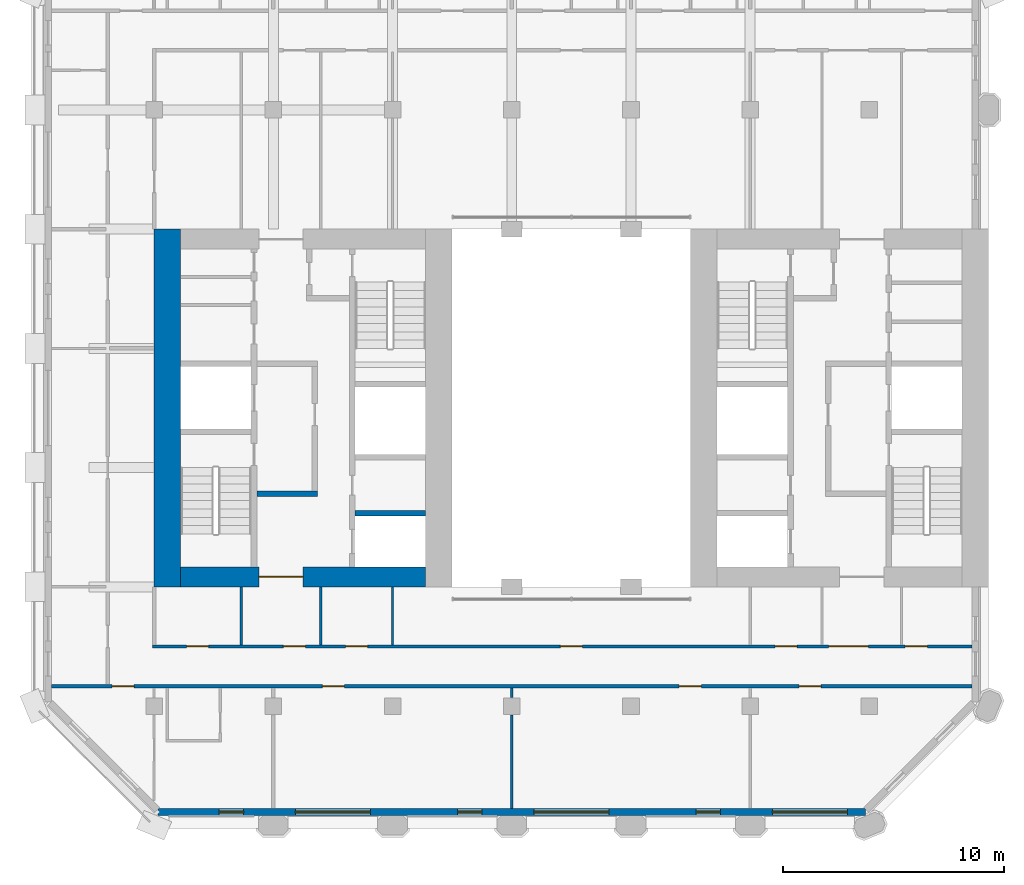
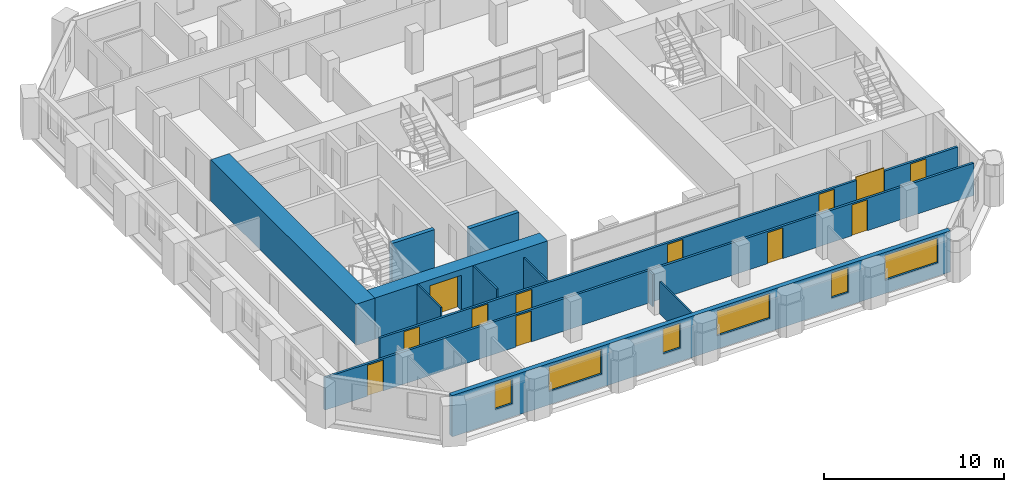
# One storey, part 6 of 14: 12 doors, 12 walls, 6 windows, 18 openings.
"""IFC4 building model written with IfcOpenShell, lengths in metres."""

from ifc_helpers import new_model, si_unit, direction, frame, frame_2d, origin, place, context, subcontext, project, spatial, rectangle, extrude, material, layer, layer_set, type_object, element, fill, save


model = new_model("IFC4")

# Units and contexts
model_context = context("Model", 3, precision=1e-05, world=origin(), true_north=direction((0.0, 1.0)))
body_context = subcontext(model_context, "Body", "Model", "MODEL_VIEW")
ifc_project = project(units=[si_unit("LENGTHUNIT", "METRE"), si_unit("AREAUNIT", "SQUARE_METRE"), si_unit("VOLUMEUNIT", "CUBIC_METRE"), si_unit("PLANEANGLEUNIT", "RADIAN"), si_unit("MASSUNIT", "GRAM", prefix="KILO")], contexts=[model_context])

# Site, building, storey
site_placement = place(None, origin())
site = spatial("IfcSite", under=ifc_project, at=site_placement, CompositionType="ELEMENT")
building_placement = place(site_placement, origin())
building = spatial("IfcBuilding", under=site, at=building_placement, Name="Tabaq Tower and Sports Hall", CompositionType="ELEMENT")
storey_placement = place(building_placement, frame((0.0, 0.0, 230.199951171875)))
storey = spatial("IfcBuildingStorey", under=building, at=storey_placement, Name="L58", CompositionType="ELEMENT", Elevation=230.199951171875)

# Wall
ifc_material_1 = material(Name="Concrete C50/60", Category="concrete")
ifc_layer_1 = layer(ifc_material_1, 1.199951171875)
ifc_layer_set_1 = layer_set([ifc_layer_1], Name="Core wall 1200 Concrete C50/60")
wall_type_1 = type_object("IfcWallType", Name="Core wall 1200 Concrete C50/60", PredefinedType="SOLIDWALL", material=ifc_layer_set_1)
wall_1_placement = place(storey_placement, frame((6.0, 16.199951171875, 0.0), z_axis=(0.0, 0.0, 1.0), x_axis=(0.0, 1.0, 0.0)))
element("IfcWall", 1, at=wall_1_placement, inside=storey, type_object=wall_type_1, Name="Core wall W L58", PredefinedType="SOLIDWALL", context=body_context, shape_type="SweptSolid", body=[
    extrude(rectangle(XDim=16.199951171875, YDim=1.199951171875, at=frame_2d((8.10009765625, 0.0))), origin(), (0.0, 0.0, 1.0), 2.800048828125),
])

# Wall, opening, door
ifc_material_2 = material(Name="Concrete C50/60", Category="concrete")
ifc_layer_2 = layer(ifc_material_2, 0.89990234375)
ifc_layer_set_2 = layer_set([ifc_layer_2], Name="Core wall 900 Concrete C50/60")
wall_type_2 = type_object("IfcWallType", Name="Core wall 900 Concrete C50/60", PredefinedType="SOLIDWALL", material=ifc_layer_set_2)
wall_2_placement = place(storey_placement, frame((17.699951171875, 16.64990234375, 0.0), z_axis=(0.0, 0.0, 1.0), x_axis=(-1.0, 0.0, 0.0)))
wall_2 = element("IfcWall", 2, at=wall_2_placement, inside=storey, type_object=wall_type_2, Name="Core wall W L58", PredefinedType="SOLIDWALL", context=body_context, shape_type="SweptSolid", body=[
    extrude(rectangle(XDim=11.099853515625, YDim=0.89990234375, at=frame_2d((5.5498046875, 0.0))), origin(), (0.0, 0.0, 1.0), 2.800048828125),
])
opening_1_placement = place(wall_2_placement, frame((5.550048828125, 0.0, 0.0)))
opening_1 = element("IfcOpeningElement", 3, at=opening_1_placement, cuts=wall_2, Name="Opening PD-WL58-01", PredefinedType="OPENING", context=body_context, shape_type="SweptSolid", body=[
    extrude(rectangle(XDim=2.0, YDim=2.39990234375, at=frame_2d((1.0, 1.199951171875))), frame((0.0, 0.449951171875, 0.0), z_axis=(0.0, -1.0, 0.0), x_axis=(1.0, 0.0, 0.0)), (0.0, 0.0, 1.0), 0.89990234375),
])
ifc_material_3 = material(Name="Steel fire door", Category="steel")
door_type_1 = type_object("IfcDoorType", Name="Core entrance door 2000", OperationType="DOUBLE_DOOR_SINGLE_SWING", PredefinedType="DOOR", material=ifc_material_3)
door_1_placement = place(opening_1_placement, origin())
door_1 = element("IfcDoor", 4, at=door_1_placement, inside=storey, type_object=door_type_1, Name="Core entrance south W L58", OperationType="DOUBLE_DOOR_SINGLE_SWING", OverallHeight=2.39990234375, OverallWidth=2.0, PredefinedType="DOOR", context=body_context, shape_type="SweptSolid", body=[
    extrude(rectangle(XDim=2.0, YDim=2.39990234375, at=frame_2d((1.0, 1.199951171875))), frame((0.0, 0.02490234375, 0.0), z_axis=(0.0, -1.0, 0.0), x_axis=(1.0, 0.0, 0.0)), (0.0, 0.0, 1.0), 0.050048828125),
])
fill(opening_1, door_1)

# Walls
ifc_material_4 = material(Name="Gypsum board on steel studs", Category="steel")
ifc_layer_3 = layer(ifc_material_4, 0.10009765625)
ifc_layer_set_3 = layer_set([ifc_layer_3], Name="Partition 100 Gypsum board")
wall_type_3 = type_object("IfcWallType", Name="Partition 100 Gypsum board", PredefinedType="PARTITIONING", material=ifc_layer_set_3)
wall_3_placement = place(storey_placement, frame((21.60009765625, 11.625, 0.0), z_axis=(0.0, 0.0, 1.0), x_axis=(0.0, -1.0, 0.0)))
element("IfcWall", 5, at=wall_3_placement, inside=storey, type_object=wall_type_3, Name="Partition wall L58", PredefinedType="PARTITIONING", context=body_context, shape_type="SweptSolid", body=[
    extrude(rectangle(XDim=0.429931640625, YDim=0.10009765625, at=frame_2d((0.21484375, 0.0))), origin(), (0.0, 0.0, 1.0), 2.199951171875),
])
wall_4_placement = place(storey_placement, frame((21.60009765625, 10.405029296875, 0.0), z_axis=(0.0, 0.0, 1.0), x_axis=(0.0, -1.0, 0.0)))
element("IfcWall", 6, at=wall_4_placement, inside=storey, type_object=wall_type_3, Name="Partition wall L58", PredefinedType="PARTITIONING", context=body_context, shape_type="SweptSolid", body=[
    extrude(rectangle(XDim=4.254150390625, YDim=0.10009765625, at=frame_2d((2.126953125, 0.0))), origin(), (0.0, 0.0, 1.0), 2.199951171875),
])
wall_5_placement = place(storey_placement, frame((16.199951171875, 16.199951171875, 0.0), z_axis=(0.0, 0.0, 1.0), x_axis=(0.0, -1.0, 0.0)))
element("IfcWall", 7, at=wall_5_placement, inside=storey, type_object=wall_type_3, Name="Partition wall L58", PredefinedType="PARTITIONING", context=body_context, shape_type="SweptSolid", body=[
    extrude(rectangle(XDim=2.625, YDim=0.10009765625, at=frame_2d((1.3125, 0.0))), origin(), (0.0, 0.0, 1.0), 2.199951171875),
])
for number, where, z_axis, x_axis, name in (
    (8, (12.949951171875, 13.574951171875, 0.0), (0.0, 0.0, 1.0), (0.0, 1.0, 0.0), "Partition wall L58"),
    (9, (9.35009765625, 16.199951171875, 0.0), (0.0, 0.0, 1.0), (0.0, -1.0, 0.0), "Partition wall L58"),
):
    element("IfcWall", number, at=place(storey_placement, frame(where, z_axis=z_axis, x_axis=x_axis)), inside=storey, type_object=wall_type_3, Name=name, PredefinedType="PARTITIONING", context=body_context, shape_type="SweptSolid", body=[
        extrude(rectangle(XDim=2.625, YDim=0.10009765625, at=frame_2d((1.3125, 0.0))), origin(), (0.0, 0.0, 1.0), 2.800048828125),
    ])

# Wall, openings, doors
ifc_material_5 = material(Name="Blockwork", Category="masonry")
ifc_layer_4 = layer(ifc_material_5, 0.14990234375)
ifc_layer_set_4 = layer_set([ifc_layer_4], Name="Separating wall 150 Blockwork")
wall_type_4 = type_object("IfcWallType", Name="Separating wall 150 Blockwork", PredefinedType="PARTITIONING", material=ifc_layer_set_4)
wall_6_placement = place(storey_placement, frame((0.7509765625, 11.699951171875, 0.0), z_axis=(0.0, 0.0, 1.0), x_axis=(1.0, 0.0, 0.0)))
wall_6 = element("IfcWall", 10, at=wall_6_placement, inside=storey, type_object=wall_type_4, Name="Separating wall L58", PredefinedType="PARTITIONING", context=body_context, shape_type="SweptSolid", body=[
    extrude(rectangle(XDim=41.697998046875, YDim=0.14990234375, at=frame_2d((20.84912109375, 0.0))), origin(), (0.0, 0.0, 1.0), 2.199951171875),
])
opening_2_placement = place(wall_6_placement, frame((33.865966796875, 0.0, 0.0)))
opening_2 = element("IfcOpeningElement", 11, at=opening_2_placement, cuts=wall_6, Name="Opening L58-014", PredefinedType="OPENING", context=body_context, shape_type="SweptSolid", body=[
    extrude(rectangle(XDim=1.0, YDim=2.10009765625, at=frame_2d((0.5, 1.050048828125))), frame((0.0, 0.074951171875, 0.0), z_axis=(0.0, -1.0, 0.0), x_axis=(1.0, 0.0, 0.0)), (0.0, 0.0, 1.0), 0.14990234375),
])
opening_3_placement = place(wall_6_placement, frame((28.431884765625, 0.0, 0.0)))
opening_3 = element("IfcOpeningElement", 12, at=opening_3_placement, cuts=wall_6, Name="Opening L58-015", PredefinedType="OPENING", context=body_context, shape_type="SweptSolid", body=[
    extrude(rectangle(XDim=1.0, YDim=2.10009765625, at=frame_2d((0.5, 1.050048828125))), frame((0.0, 0.074951171875, 0.0), z_axis=(0.0, -1.0, 0.0), x_axis=(1.0, 0.0, 0.0)), (0.0, 0.0, 1.0), 0.14990234375),
])
opening_4_placement = place(wall_6_placement, frame((12.26611328125, 0.0, 0.0)))
opening_4 = element("IfcOpeningElement", 13, at=opening_4_placement, cuts=wall_6, Name="Opening L58-016", PredefinedType="OPENING", context=body_context, shape_type="SweptSolid", body=[
    extrude(rectangle(XDim=1.0, YDim=2.10009765625, at=frame_2d((0.5, 1.050048828125))), frame((0.0, 0.074951171875, 0.0), z_axis=(0.0, -1.0, 0.0), x_axis=(1.0, 0.0, 0.0)), (0.0, 0.0, 1.0), 0.14990234375),
])
opening_5_placement = place(wall_6_placement, frame((2.743896484375, 0.0, 0.0)))
opening_5 = element("IfcOpeningElement", 14, at=opening_5_placement, cuts=wall_6, Name="Opening L58-036", PredefinedType="OPENING", context=body_context, shape_type="SweptSolid", body=[
    extrude(rectangle(XDim=1.0, YDim=2.10009765625, at=frame_2d((0.5, 1.050048828125))), frame((0.0, 0.074951171875, 0.0), z_axis=(0.0, -1.0, 0.0), x_axis=(1.0, 0.0, 0.0)), (0.0, 0.0, 1.0), 0.14990234375),
])
ifc_material_6 = material(Name="Steel fire door", Category="steel")
door_type_2 = type_object("IfcDoorType", Name="Entrance door 1000 right hand", OperationType="SINGLE_SWING_RIGHT", PredefinedType="DOOR", material=ifc_material_6)
door_2_placement = place(opening_5_placement, origin())
door_2 = element("IfcDoor", 15, at=door_2_placement, inside=storey, type_object=door_type_2, Name="Entrance door L58-036", OperationType="SINGLE_SWING_RIGHT", OverallHeight=2.10009765625, OverallWidth=1.0, PredefinedType="DOOR", context=body_context, shape_type="SweptSolid", body=[
    extrude(rectangle(XDim=1.0, YDim=2.10009765625, at=frame_2d((0.5, 1.050048828125))), frame((0.0, 0.02490234375, 0.0), z_axis=(0.0, -1.0, 0.0), x_axis=(1.0, 0.0, 0.0)), (0.0, 0.0, 1.0), 0.050048828125),
])
fill(opening_5, door_2)
ifc_material_7 = material(Name="Timber leaf in steel frame", Category="steel")
door_type_3 = type_object("IfcDoorType", Name="Internal door 1000 left hand", OperationType="SINGLE_SWING_LEFT", PredefinedType="DOOR", material=ifc_material_7)
door_3_placement = place(opening_3_placement, origin())
door_3 = element("IfcDoor", 16, at=door_3_placement, inside=storey, type_object=door_type_3, Name="Internal door L58-015", OperationType="SINGLE_SWING_LEFT", OverallHeight=2.10009765625, OverallWidth=1.0, PredefinedType="DOOR", context=body_context, shape_type="SweptSolid", body=[
    extrude(rectangle(XDim=1.0, YDim=2.10009765625, at=frame_2d((0.5, 1.050048828125))), frame((0.0, 0.02490234375, 0.0), z_axis=(0.0, -1.0, 0.0), x_axis=(1.0, 0.0, 0.0)), (0.0, 0.0, 1.0), 0.050048828125),
])
fill(opening_3, door_3)
door_4_placement = place(opening_4_placement, origin())
door_4 = element("IfcDoor", 17, at=door_4_placement, inside=storey, type_object=door_type_3, Name="Internal door L58-016", OperationType="SINGLE_SWING_LEFT", OverallHeight=2.10009765625, OverallWidth=1.0, PredefinedType="DOOR", context=body_context, shape_type="SweptSolid", body=[
    extrude(rectangle(XDim=1.0, YDim=2.10009765625, at=frame_2d((0.5, 1.050048828125))), frame((0.0, 0.02490234375, 0.0), z_axis=(0.0, -1.0, 0.0), x_axis=(1.0, 0.0, 0.0)), (0.0, 0.0, 1.0), 0.050048828125),
])
fill(opening_4, door_4)
ifc_material_8 = material(Name="Timber leaf in steel frame", Category="steel")
door_type_4 = type_object("IfcDoorType", Name="Internal door 1000 right hand", OperationType="SINGLE_SWING_RIGHT", PredefinedType="DOOR", material=ifc_material_8)
door_5_placement = place(opening_2_placement, origin())
door_5 = element("IfcDoor", 18, at=door_5_placement, inside=storey, type_object=door_type_4, Name="Internal door L58-014", OperationType="SINGLE_SWING_RIGHT", OverallHeight=2.10009765625, OverallWidth=1.0, PredefinedType="DOOR", context=body_context, shape_type="SweptSolid", body=[
    extrude(rectangle(XDim=1.0, YDim=2.10009765625, at=frame_2d((0.5, 1.050048828125))), frame((0.0, 0.02490234375, 0.0), z_axis=(0.0, -1.0, 0.0), x_axis=(1.0, 0.0, 0.0)), (0.0, 0.0, 1.0), 0.050048828125),
])
fill(opening_2, door_5)

wall_7_placement = place(storey_placement, frame((5.324951171875, 13.5, 0.0), z_axis=(0.0, 0.0, 1.0), x_axis=(1.0, 0.0, 0.0)))
wall_7 = element("IfcWall", 19, at=wall_7_placement, inside=storey, type_object=wall_type_4, Name="Separating wall L58", PredefinedType="PARTITIONING", context=body_context, shape_type="SweptSolid", body=[
    extrude(rectangle(XDim=37.1240234375, YDim=0.14990234375, at=frame_2d((18.56201171875, 0.0))), origin(), (0.0, 0.0, 1.0), 2.199951171875),
])
opening_6_placement = place(wall_7_placement, frame((18.47509765625, 0.0, 0.0)))
opening_6 = element("IfcOpeningElement", 20, at=opening_6_placement, cuts=wall_7, Name="Opening L58-018", PredefinedType="OPENING", context=body_context, shape_type="SweptSolid", body=[
    extrude(rectangle(XDim=1.0, YDim=2.10009765625, at=frame_2d((0.5, 1.050048828125))), frame((0.0, 0.074951171875, 0.0), z_axis=(0.0, -1.0, 0.0), x_axis=(1.0, 0.0, 0.0)), (0.0, 0.0, 1.0), 0.14990234375),
])
opening_7_placement = place(wall_7_placement, frame((34.094970703125, 0.0, 0.0)))
opening_7 = element("IfcOpeningElement", 21, at=opening_7_placement, cuts=wall_7, Name="Opening L58-020", PredefinedType="OPENING", context=body_context, shape_type="SweptSolid", body=[
    extrude(rectangle(XDim=1.0, YDim=2.10009765625, at=frame_2d((0.5, 1.050048828125))), frame((0.0, 0.074951171875, 0.0), z_axis=(0.0, -1.0, 0.0), x_axis=(1.0, 0.0, 0.0)), (0.0, 0.0, 1.0), 0.14990234375),
])
opening_8_placement = place(wall_7_placement, frame((8.75, 0.0, 0.0)))
opening_8 = element("IfcOpeningElement", 22, at=opening_8_placement, cuts=wall_7, Name="Opening L58-021", PredefinedType="OPENING", context=body_context, shape_type="SweptSolid", body=[
    extrude(rectangle(XDim=1.0, YDim=2.10009765625, at=frame_2d((0.5, 1.050048828125))), frame((0.0, 0.074951171875, 0.0), z_axis=(0.0, -1.0, 0.0), x_axis=(1.0, 0.0, 0.0)), (0.0, 0.0, 1.0), 0.14990234375),
])
opening_9_placement = place(wall_7_placement, frame((1.550048828125, 0.0, 0.0)))
opening_9 = element("IfcOpeningElement", 23, at=opening_9_placement, cuts=wall_7, Name="Opening L58-022", PredefinedType="OPENING", context=body_context, shape_type="SweptSolid", body=[
    extrude(rectangle(XDim=1.0, YDim=2.10009765625, at=frame_2d((0.5, 1.050048828125))), frame((0.0, 0.074951171875, 0.0), z_axis=(0.0, -1.0, 0.0), x_axis=(1.0, 0.0, 0.0)), (0.0, 0.0, 1.0), 0.14990234375),
])
opening_10_placement = place(wall_7_placement, frame((28.199951171875, 0.0, 0.0)))
opening_10 = element("IfcOpeningElement", 24, at=opening_10_placement, cuts=wall_7, Name="Opening L58-023", PredefinedType="OPENING", context=body_context, shape_type="SweptSolid", body=[
    extrude(rectangle(XDim=1.0, YDim=2.10009765625, at=frame_2d((0.5, 1.050048828125))), frame((0.0, 0.074951171875, 0.0), z_axis=(0.0, -1.0, 0.0), x_axis=(1.0, 0.0, 0.0)), (0.0, 0.0, 1.0), 0.14990234375),
])
opening_11_placement = place(wall_7_placement, frame((30.625, 0.0, 0.0)))
opening_11 = element("IfcOpeningElement", 25, at=opening_11_placement, cuts=wall_7, Name="Opening L58-037", PredefinedType="OPENING", context=body_context, shape_type="SweptSolid", body=[
    extrude(rectangle(XDim=1.800048828125, YDim=2.39990234375, at=frame_2d((0.89990234375, 1.199951171875))), frame((0.0, 0.074951171875, 0.0), z_axis=(0.0, -1.0, 0.0), x_axis=(1.0, 0.0, 0.0)), (0.0, 0.0, 1.0), 0.14990234375),
])
opening_12_placement = place(wall_7_placement, frame((5.925048828125, 0.0, 0.0)))
opening_12 = element("IfcOpeningElement", 26, at=opening_12_placement, cuts=wall_7, Name="Opening L58-038", PredefinedType="OPENING", context=body_context, shape_type="SweptSolid", body=[
    extrude(rectangle(XDim=1.0, YDim=2.10009765625, at=frame_2d((0.5, 1.050048828125))), frame((0.0, 0.074951171875, 0.0), z_axis=(0.0, -1.0, 0.0), x_axis=(1.0, 0.0, 0.0)), (0.0, 0.0, 1.0), 0.14990234375),
])
door_6_placement = place(opening_7_placement, origin())
door_6 = element("IfcDoor", 27, at=door_6_placement, inside=storey, type_object=door_type_3, Name="Internal door L58-020", OperationType="SINGLE_SWING_LEFT", OverallHeight=2.10009765625, OverallWidth=1.0, PredefinedType="DOOR", context=body_context, shape_type="SweptSolid", body=[
    extrude(rectangle(XDim=1.0, YDim=2.10009765625, at=frame_2d((0.5, 1.050048828125))), frame((0.0, 0.02490234375, 0.0), z_axis=(0.0, -1.0, 0.0), x_axis=(1.0, 0.0, 0.0)), (0.0, 0.0, 1.0), 0.050048828125),
])
fill(opening_7, door_6)
door_7_placement = place(opening_8_placement, origin())
door_7 = element("IfcDoor", 28, at=door_7_placement, inside=storey, type_object=door_type_3, Name="Internal door L58-021", OperationType="SINGLE_SWING_LEFT", OverallHeight=2.10009765625, OverallWidth=1.0, PredefinedType="DOOR", context=body_context, shape_type="SweptSolid", body=[
    extrude(rectangle(XDim=1.0, YDim=2.10009765625, at=frame_2d((0.5, 1.050048828125))), frame((0.0, 0.02490234375, 0.0), z_axis=(0.0, -1.0, 0.0), x_axis=(1.0, 0.0, 0.0)), (0.0, 0.0, 1.0), 0.050048828125),
])
fill(opening_8, door_7)
door_8_placement = place(opening_12_placement, origin())
door_8 = element("IfcDoor", 29, at=door_8_placement, inside=storey, type_object=door_type_3, Name="Internal door L58-038", OperationType="SINGLE_SWING_LEFT", OverallHeight=2.10009765625, OverallWidth=1.0, PredefinedType="DOOR", context=body_context, shape_type="SweptSolid", body=[
    extrude(rectangle(XDim=1.0, YDim=2.10009765625, at=frame_2d((0.5, 1.050048828125))), frame((0.0, 0.02490234375, 0.0), z_axis=(0.0, -1.0, 0.0), x_axis=(1.0, 0.0, 0.0)), (0.0, 0.0, 1.0), 0.050048828125),
])
fill(opening_12, door_8)
door_9_placement = place(opening_6_placement, origin())
door_9 = element("IfcDoor", 30, at=door_9_placement, inside=storey, type_object=door_type_4, Name="Internal door L58-018", OperationType="SINGLE_SWING_RIGHT", OverallHeight=2.10009765625, OverallWidth=1.0, PredefinedType="DOOR", context=body_context, shape_type="SweptSolid", body=[
    extrude(rectangle(XDim=1.0, YDim=2.10009765625, at=frame_2d((0.5, 1.050048828125))), frame((0.0, 0.02490234375, 0.0), z_axis=(0.0, -1.0, 0.0), x_axis=(1.0, 0.0, 0.0)), (0.0, 0.0, 1.0), 0.050048828125),
])
fill(opening_6, door_9)
door_10_placement = place(opening_9_placement, origin())
door_10 = element("IfcDoor", 31, at=door_10_placement, inside=storey, type_object=door_type_4, Name="Internal door L58-022", OperationType="SINGLE_SWING_RIGHT", OverallHeight=2.10009765625, OverallWidth=1.0, PredefinedType="DOOR", context=body_context, shape_type="SweptSolid", body=[
    extrude(rectangle(XDim=1.0, YDim=2.10009765625, at=frame_2d((0.5, 1.050048828125))), frame((0.0, 0.02490234375, 0.0), z_axis=(0.0, -1.0, 0.0), x_axis=(1.0, 0.0, 0.0)), (0.0, 0.0, 1.0), 0.050048828125),
])
fill(opening_9, door_10)
door_11_placement = place(opening_10_placement, origin())
door_11 = element("IfcDoor", 32, at=door_11_placement, inside=storey, type_object=door_type_4, Name="Internal door L58-023", OperationType="SINGLE_SWING_RIGHT", OverallHeight=2.10009765625, OverallWidth=1.0, PredefinedType="DOOR", context=body_context, shape_type="SweptSolid", body=[
    extrude(rectangle(XDim=1.0, YDim=2.10009765625, at=frame_2d((0.5, 1.050048828125))), frame((0.0, 0.02490234375, 0.0), z_axis=(0.0, -1.0, 0.0), x_axis=(1.0, 0.0, 0.0)), (0.0, 0.0, 1.0), 0.050048828125),
])
fill(opening_10, door_11)
ifc_material_9 = material(Name="Timber leaf in steel frame", Category="steel")
door_type_5 = type_object("IfcDoorType", Name="Internal door 1800", OperationType="DOUBLE_DOOR_SINGLE_SWING", PredefinedType="DOOR", material=ifc_material_9)
door_12_placement = place(opening_11_placement, origin())
door_12 = element("IfcDoor", 33, at=door_12_placement, inside=storey, type_object=door_type_5, Name="Internal door L58-037", OperationType="DOUBLE_DOOR_SINGLE_SWING", OverallHeight=2.39990234375, OverallWidth=1.800048828125, PredefinedType="DOOR", context=body_context, shape_type="SweptSolid", body=[
    extrude(rectangle(XDim=1.800048828125, YDim=2.39990234375, at=frame_2d((0.89990234375, 1.199951171875))), frame((0.0, 0.02490234375, 0.0), z_axis=(0.0, -1.0, 0.0), x_axis=(1.0, 0.0, 0.0)), (0.0, 0.0, 1.0), 0.050048828125),
])
fill(opening_11, door_12)

# Walls
ifc_material_10 = material(Name="Concrete C40/50", Category="concrete")
ifc_layer_5 = layer(ifc_material_10, 0.25)
ifc_layer_set_5 = layer_set([ifc_layer_5], Name="Shaft and stair wall 250 Concrete C40/50")
wall_type_5 = type_object("IfcWallType", Name="Shaft and stair wall 250 Concrete C40/50", PredefinedType="SOLIDWALL", material=ifc_layer_set_5)
wall_8_placement = place(storey_placement, frame((10.050048828125, 20.425048828125, 0.0), z_axis=(0.0, 0.0, 1.0), x_axis=(1.0, 0.0, 0.0)))
element("IfcWall", 34, at=wall_8_placement, inside=storey, type_object=wall_type_5, Name="Fire-fighting lobby wall W L58", PredefinedType="SOLIDWALL", context=body_context, shape_type="SweptSolid", body=[
    extrude(rectangle(XDim=2.75, YDim=0.25, at=frame_2d((1.375, 0.0))), origin(), (0.0, 0.0, 1.0), 2.800048828125),
])
wall_9_placement = place(storey_placement, frame((14.5, 19.52490234375, 0.0), z_axis=(0.0, 0.0, 1.0), x_axis=(1.0, 0.0, 0.0)))
element("IfcWall", 35, at=wall_9_placement, inside=storey, type_object=wall_type_5, Name="Shaft wall W L58", PredefinedType="SOLIDWALL", context=body_context, shape_type="SweptSolid", body=[
    extrude(rectangle(XDim=3.199951171875, YDim=0.25, at=frame_2d((1.60009765625, 0.0))), origin(), (0.0, 0.0, 1.0), 2.800048828125),
])

# Wall, openings, windows
ifc_material_11 = material(Name="White precast concrete C60/75", Category="concrete")
ifc_layer_6 = layer(ifc_material_11, 0.300048828125)
ifc_layer_set_6 = layer_set([ifc_layer_6], Name="White precast concrete C60/75 external wall 300")
wall_type_6 = type_object("IfcWallType", Name="White precast concrete C60/75 external wall 300", PredefinedType="SOLIDWALL", material=ifc_layer_set_6)
wall_10_placement = place(storey_placement, frame((5.58642578125, 6.0, 0.0), z_axis=(0.0, 0.0, 1.0), x_axis=(1.0, 0.0, 0.0)))
wall_10 = element("IfcWall", 36, at=wall_10_placement, inside=storey, type_object=wall_type_6, Name="External Wall L58 S", PredefinedType="SOLIDWALL", context=body_context, shape_type="SweptSolid", body=[
    extrude(rectangle(XDim=32.027099609375, YDim=0.300048828125, at=frame_2d((16.013671875, 0.0))), origin(), (0.0, 0.0, 1.0), 2.800048828125),
])
opening_13_placement = place(wall_10_placement, frame((2.763671875, 0.0, 0.89990234375)))
opening_13 = element("IfcOpeningElement", 37, at=opening_13_placement, cuts=wall_10, Name="Opening W1B", PredefinedType="OPENING", context=body_context, shape_type="SweptSolid", body=[
    extrude(rectangle(XDim=1.10009765625, YDim=1.699951171875, at=frame_2d((0.550048828125, 0.85009765625))), frame((0.0, 0.16015625, 0.0), z_axis=(0.0, -1.0, 0.0), x_axis=(1.0, 0.0, 0.0)), (0.0, 0.0, 1.0), 0.320068359375),
])
opening_14_placement = place(wall_10_placement, frame((6.213623046875, 0.0, 0.89990234375)))
opening_14 = element("IfcOpeningElement", 38, at=opening_14_placement, cuts=wall_10, Name="Opening W1A", PredefinedType="OPENING", context=body_context, shape_type="SweptSolid", body=[
    extrude(rectangle(XDim=3.39990234375, YDim=1.699951171875, at=frame_2d((1.699951171875, 0.85009765625))), frame((0.0, 0.16015625, 0.0), z_axis=(0.0, -1.0, 0.0), x_axis=(1.0, 0.0, 0.0)), (0.0, 0.0, 1.0), 0.320068359375),
])
opening_15_placement = place(wall_10_placement, frame((13.563720703125, 0.0, 0.89990234375)))
opening_15 = element("IfcOpeningElement", 39, at=opening_15_placement, cuts=wall_10, Name="Opening W1B", PredefinedType="OPENING", context=body_context, shape_type="SweptSolid", body=[
    extrude(rectangle(XDim=1.10009765625, YDim=1.699951171875, at=frame_2d((0.550048828125, 0.85009765625))), frame((0.0, 0.16015625, 0.0), z_axis=(0.0, -1.0, 0.0), x_axis=(1.0, 0.0, 0.0)), (0.0, 0.0, 1.0), 0.320068359375),
])
opening_16_placement = place(wall_10_placement, frame((17.013671875, 0.0, 0.89990234375)))
opening_16 = element("IfcOpeningElement", 40, at=opening_16_placement, cuts=wall_10, Name="Opening W1A", PredefinedType="OPENING", context=body_context, shape_type="SweptSolid", body=[
    extrude(rectangle(XDim=3.39990234375, YDim=1.699951171875, at=frame_2d((1.699951171875, 0.85009765625))), frame((0.0, 0.16015625, 0.0), z_axis=(0.0, -1.0, 0.0), x_axis=(1.0, 0.0, 0.0)), (0.0, 0.0, 1.0), 0.320068359375),
])
opening_17_placement = place(wall_10_placement, frame((24.363525390625, 0.0, 0.89990234375)))
opening_17 = element("IfcOpeningElement", 41, at=opening_17_placement, cuts=wall_10, Name="Opening W1B", PredefinedType="OPENING", context=body_context, shape_type="SweptSolid", body=[
    extrude(rectangle(XDim=1.10009765625, YDim=1.699951171875, at=frame_2d((0.550048828125, 0.85009765625))), frame((0.0, 0.16015625, 0.0), z_axis=(0.0, -1.0, 0.0), x_axis=(1.0, 0.0, 0.0)), (0.0, 0.0, 1.0), 0.320068359375),
])
opening_18_placement = place(wall_10_placement, frame((27.813720703125, 0.0, 0.89990234375)))
opening_18 = element("IfcOpeningElement", 42, at=opening_18_placement, cuts=wall_10, Name="Opening W1A", PredefinedType="OPENING", context=body_context, shape_type="SweptSolid", body=[
    extrude(rectangle(XDim=3.39990234375, YDim=1.699951171875, at=frame_2d((1.699951171875, 0.85009765625))), frame((0.0, 0.16015625, 0.0), z_axis=(0.0, -1.0, 0.0), x_axis=(1.0, 0.0, 0.0)), (0.0, 0.0, 1.0), 0.320068359375),
])
ifc_material_12 = material(Name="Aluminium framed clear glazing", Category="aluminium")
window_type_1 = type_object("IfcWindowType", Name="Window W1A", PartitioningType="SINGLE_PANEL", PredefinedType="WINDOW", material=ifc_material_12)
window_1_placement = place(opening_14_placement, origin())
window_1 = element("IfcWindow", 43, at=window_1_placement, inside=storey, type_object=window_type_1, Name="Window W1A L58", OverallHeight=1.699951171875, OverallWidth=3.39990234375, PartitioningType="SINGLE_PANEL", PredefinedType="WINDOW", context=body_context, shape_type="SweptSolid", body=[
    extrude(rectangle(XDim=3.39990234375, YDim=1.699951171875, at=frame_2d((1.699951171875, 0.85009765625))), frame((0.0, 0.030029296875, 0.0), z_axis=(0.0, -1.0, 0.0), x_axis=(1.0, 0.0, 0.0)), (0.0, 0.0, 1.0), 0.06005859375),
])
fill(opening_14, window_1)
window_2_placement = place(opening_16_placement, origin())
window_2 = element("IfcWindow", 44, at=window_2_placement, inside=storey, type_object=window_type_1, Name="Window W1A L58", OverallHeight=1.699951171875, OverallWidth=3.39990234375, PartitioningType="SINGLE_PANEL", PredefinedType="WINDOW", context=body_context, shape_type="SweptSolid", body=[
    extrude(rectangle(XDim=3.39990234375, YDim=1.699951171875, at=frame_2d((1.699951171875, 0.85009765625))), frame((0.0, 0.030029296875, 0.0), z_axis=(0.0, -1.0, 0.0), x_axis=(1.0, 0.0, 0.0)), (0.0, 0.0, 1.0), 0.06005859375),
])
fill(opening_16, window_2)
window_3_placement = place(opening_18_placement, origin())
window_3 = element("IfcWindow", 45, at=window_3_placement, inside=storey, type_object=window_type_1, Name="Window W1A L58", OverallHeight=1.699951171875, OverallWidth=3.39990234375, PartitioningType="SINGLE_PANEL", PredefinedType="WINDOW", context=body_context, shape_type="SweptSolid", body=[
    extrude(rectangle(XDim=3.39990234375, YDim=1.699951171875, at=frame_2d((1.699951171875, 0.85009765625))), frame((0.0, 0.030029296875, 0.0), z_axis=(0.0, -1.0, 0.0), x_axis=(1.0, 0.0, 0.0)), (0.0, 0.0, 1.0), 0.06005859375),
])
fill(opening_18, window_3)
ifc_material_13 = material(Name="Aluminium framed clear glazing", Category="aluminium")
window_type_2 = type_object("IfcWindowType", Name="Window W1B", PartitioningType="SINGLE_PANEL", PredefinedType="WINDOW", material=ifc_material_13)
window_4_placement = place(opening_13_placement, origin())
window_4 = element("IfcWindow", 46, at=window_4_placement, inside=storey, type_object=window_type_2, Name="Window W1B L58", OverallHeight=1.699951171875, OverallWidth=1.10009765625, PartitioningType="SINGLE_PANEL", PredefinedType="WINDOW", context=body_context, shape_type="SweptSolid", body=[
    extrude(rectangle(XDim=1.10009765625, YDim=1.699951171875, at=frame_2d((0.550048828125, 0.85009765625))), frame((0.0, 0.030029296875, 0.0), z_axis=(0.0, -1.0, 0.0), x_axis=(1.0, 0.0, 0.0)), (0.0, 0.0, 1.0), 0.06005859375),
])
fill(opening_13, window_4)
window_5_placement = place(opening_15_placement, origin())
window_5 = element("IfcWindow", 47, at=window_5_placement, inside=storey, type_object=window_type_2, Name="Window W1B L58", OverallHeight=1.699951171875, OverallWidth=1.10009765625, PartitioningType="SINGLE_PANEL", PredefinedType="WINDOW", context=body_context, shape_type="SweptSolid", body=[
    extrude(rectangle(XDim=1.10009765625, YDim=1.699951171875, at=frame_2d((0.550048828125, 0.85009765625))), frame((0.0, 0.030029296875, 0.0), z_axis=(0.0, -1.0, 0.0), x_axis=(1.0, 0.0, 0.0)), (0.0, 0.0, 1.0), 0.06005859375),
])
fill(opening_15, window_5)
window_6_placement = place(opening_17_placement, origin())
window_6 = element("IfcWindow", 48, at=window_6_placement, inside=storey, type_object=window_type_2, Name="Window W1B L58", OverallHeight=1.699951171875, OverallWidth=1.10009765625, PartitioningType="SINGLE_PANEL", PredefinedType="WINDOW", context=body_context, shape_type="SweptSolid", body=[
    extrude(rectangle(XDim=1.10009765625, YDim=1.699951171875, at=frame_2d((0.550048828125, 0.85009765625))), frame((0.0, 0.030029296875, 0.0), z_axis=(0.0, -1.0, 0.0), x_axis=(1.0, 0.0, 0.0)), (0.0, 0.0, 1.0), 0.06005859375),
])
fill(opening_17, window_6)

save(model, "model.ifc")
